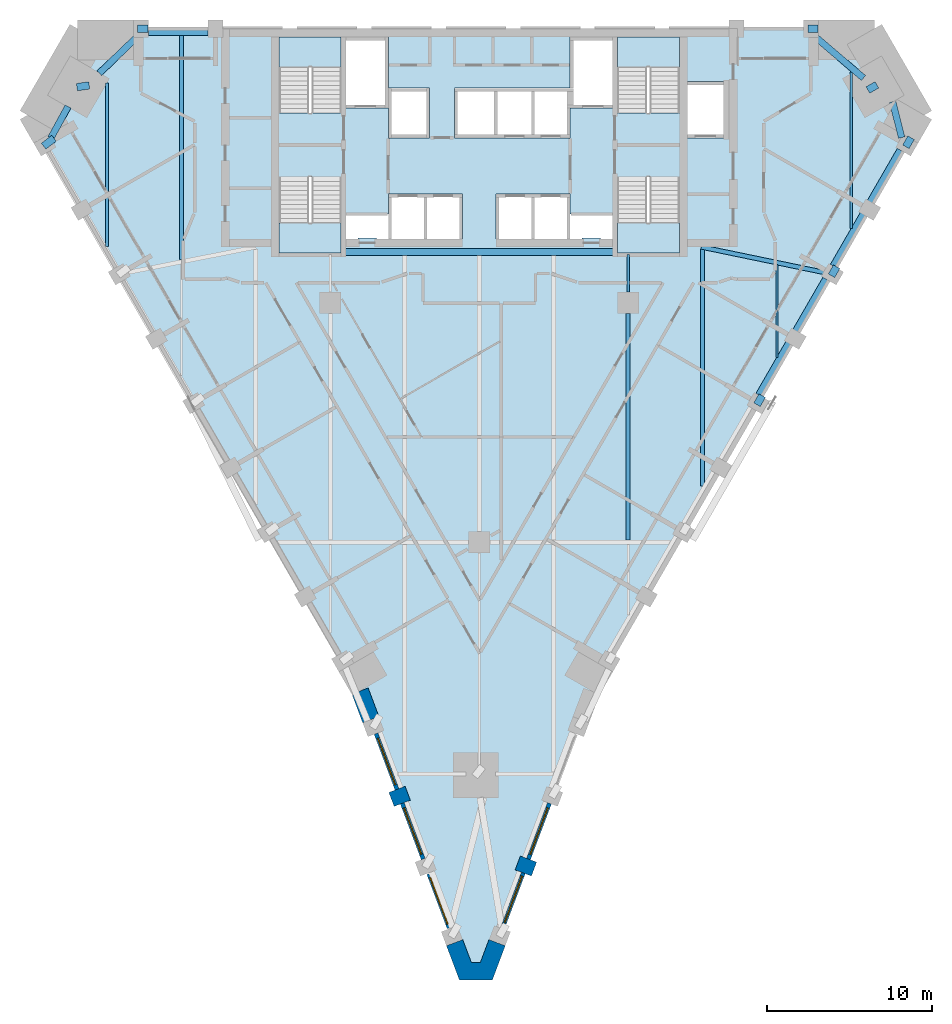
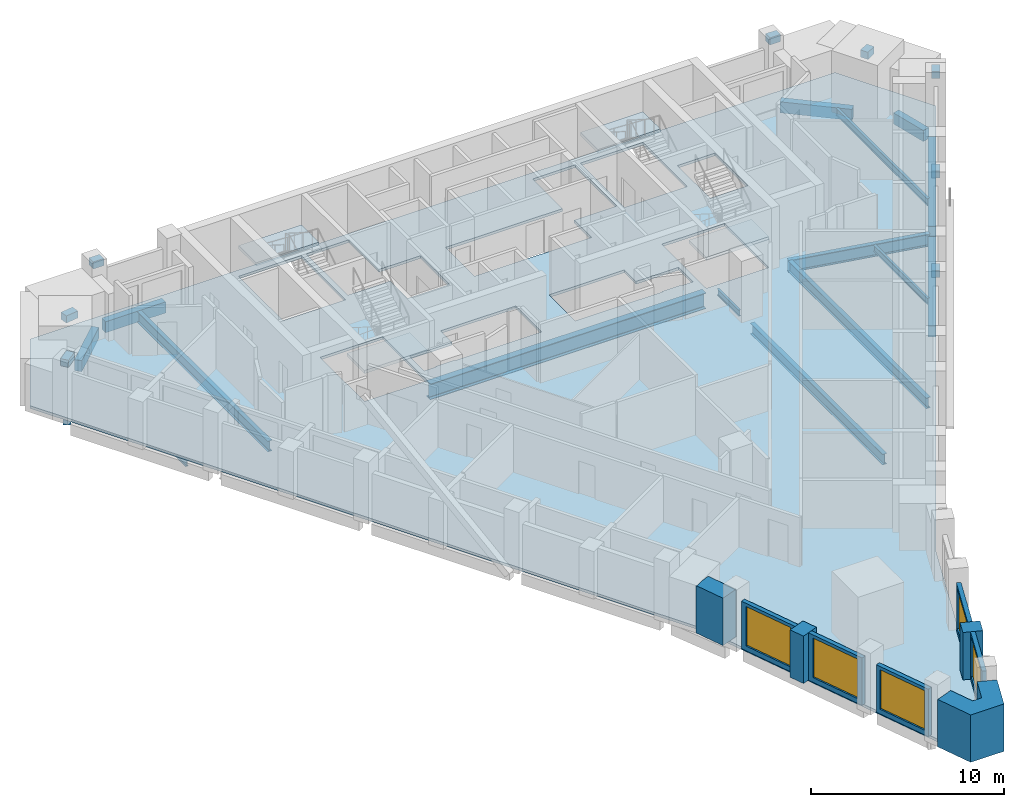
# One storey, part 2 of 10: 24 beams, 9 walls, 5 slabs, 5 windows, 5 openings, 4 elements without a shape of their own.
"""IFC4 building model written with IfcOpenShell, lengths in metres."""

from ifc_helpers import new_model, si_unit, direction, frame, frame_2d, origin, origin_2d, place, context, subcontext, project, spatial, polyline, rectangle, i_section, outline, extrude, material, layer, layer_set, material_profile, profile_set, type_object, element, fill, aggregate, save


model = new_model("IFC4")

# Units and contexts
model_context = context("Model", 3, precision=1e-05, world=origin(), true_north=direction((0.0, 1.0)))
body_context = subcontext(model_context, "Body", "Model", "MODEL_VIEW")
ifc_project = project(units=[si_unit("LENGTHUNIT", "METRE"), si_unit("AREAUNIT", "SQUARE_METRE"), si_unit("VOLUMEUNIT", "CUBIC_METRE"), si_unit("PLANEANGLEUNIT", "RADIAN"), si_unit("MASSUNIT", "GRAM", prefix="KILO")], contexts=[model_context])

# Site, building, storey
site_placement = place(None, origin())
site = spatial("IfcSite", under=ifc_project, at=site_placement, CompositionType="ELEMENT")
building_placement = place(site_placement, origin())
building = spatial("IfcBuilding", under=site, at=building_placement, Name="Calabash Gate Tower", CompositionType="ELEMENT")
storey_placement = place(building_placement, frame((0.0, 0.0, 152.39990234375)))
storey = spatial("IfcBuildingStorey", under=building, at=storey_placement, Name="L35", CompositionType="ELEMENT", Elevation=152.39990234375)

# Beams
ifc_material_1 = material(Name="Concrete C80/95", Category="concrete")
ifc_material_profile_1 = material_profile(ifc_material_1, rectangle(XDim=0.449951171875, YDim=0.449951171875, at=origin_2d()))
ifc_profile_set_1 = profile_set([ifc_material_profile_1], Name="Concrete C80/95")
beam_type_1 = type_object("IfcBeamType", Name="Column offset link RC 450x450 Concrete C80/95", PredefinedType="BEAM", material=ifc_profile_set_1)
beam_1_placement = place(storey_placement, frame((23.489990234375, 15.346923828125, 3.504150390625), z_axis=(0.86800468551, 0.49655600483, 0.0), x_axis=(-0.49655600483, 0.86800468551, 0.0)))
element("IfcBeam", 1, at=beam_1_placement, inside=storey, type_object=beam_type_1, Name="Column offset link L35 NE", PredefinedType="BEAM", context=body_context, shape_type="SweptSolid", body=[
    extrude(rectangle(XDim=0.449951171875, YDim=0.449951171875, at=origin_2d()), origin(), (0.0, 0.0, 1.0), 0.63037109375),
])
beam_2_placement = place(storey_placement, frame((-24.321044921875, 15.51708984375, 3.504150390625), z_axis=(0.989936566074, 0.141511819824, 0.0), x_axis=(-0.141511819824, 0.989936566074, 0.0)))
element("IfcBeam", 2, at=beam_2_placement, inside=storey, type_object=beam_type_1, Name="Column offset link L35 NW", PredefinedType="BEAM", context=body_context, shape_type="SweptSolid", body=[
    extrude(rectangle(XDim=0.449951171875, YDim=0.449951171875, at=origin_2d()), origin(), (0.0, 0.0, 1.0), 0.755615234375),
])
for number, where, z_axis, x_axis, name in (
    (3, (16.7890625, -3.676025390625, 3.504150390625), (0.499554821267, 0.866282275329, 0.0), (-0.866282275329, 0.499554821267, 0.0), "Column offset link L35 P11"),
    (4, (21.2890625, 4.117919921875, 3.504150390625), (0.499554821267, 0.866282275329, 0.0), (-0.866282275329, 0.499554821267, 0.0), "Column offset link L35 P12"),
):
    element("IfcBeam", number, at=place(storey_placement, frame(where, z_axis=z_axis, x_axis=x_axis)), inside=storey, type_object=beam_type_1, Name=name, PredefinedType="BEAM", context=body_context, shape_type="SweptSolid", body=[
        extrude(rectangle(XDim=0.449951171875, YDim=0.449951171875, at=origin_2d()), origin(), (0.0, 0.0, 1.0), 0.63037109375),
    ])
beam_3_placement = place(storey_placement, frame((25.7890625, 11.9130859375, 3.504150390625), z_axis=(0.500393920955, 0.865797853931, 0.0), x_axis=(-0.865797853931, 0.500393920955, 0.0)))
element("IfcBeam", 5, at=beam_3_placement, inside=storey, type_object=beam_type_1, Name="Column offset link L35 P13", PredefinedType="BEAM", context=body_context, shape_type="SweptSolid", body=[
    extrude(rectangle(XDim=0.449951171875, YDim=0.449951171875, at=origin_2d()), origin(), (0.0, 0.0, 1.0), 0.62939453125),
])
beam_4_placement = place(storey_placement, frame((-20.64306640625, 19.052978515625, 3.504150390625), z_axis=(1.0, 0.0, 0.0), x_axis=(0.0, 1.0, 0.0)))
element("IfcBeam", 6, at=beam_4_placement, inside=storey, type_object=beam_type_1, Name="Column offset link L35 P17", PredefinedType="BEAM", context=body_context, shape_type="SweptSolid", body=[
    extrude(rectangle(XDim=0.449951171875, YDim=0.449951171875, at=origin_2d()), origin(), (0.0, 0.0, 1.0), 0.630126953125),
])
beam_5_placement = place(storey_placement, frame((-26.3330078125, 11.949951171875, 3.504150390625), z_axis=(0.795671153346, 0.605728830198, 0.0), x_axis=(-0.605728830198, 0.795671153346, 0.0)))
element("IfcBeam", 7, at=beam_5_placement, inside=storey, type_object=beam_type_1, Name="Column offset link L35 P20", PredefinedType="BEAM", context=body_context, shape_type="SweptSolid", body=[
    extrude(rectangle(XDim=0.449951171875, YDim=0.449951171875, at=origin_2d()), origin(), (0.0, 0.0, 1.0), 0.795654296875),
])
beam_6_placement = place(storey_placement, frame((19.85693359375, 19.052978515625, 3.504150390625), z_axis=(1.0, 0.0, 0.0), x_axis=(0.0, 1.0, 0.0)))
element("IfcBeam", 8, at=beam_6_placement, inside=storey, type_object=beam_type_1, Name="Column offset link L35 P24", PredefinedType="BEAM", context=body_context, shape_type="SweptSolid", body=[
    extrude(rectangle(XDim=0.449951171875, YDim=0.449951171875, at=origin_2d()), origin(), (0.0, 0.0, 1.0), 0.630126953125),
])
ifc_material_2 = material(Name="Concrete C50/60", Category="concrete")
ifc_material_profile_2 = material_profile(ifc_material_2, rectangle(XDim=0.39990234375, YDim=0.699951171875, at=origin_2d()))
ifc_profile_set_2 = profile_set([ifc_material_profile_2], Name="Concrete C50/60")
beam_type_2 = type_object("IfcBeamType", Name="Edge beam RC 400x700 Concrete C50/60", PredefinedType="BEAM", material=ifc_profile_set_2)
beam_7_placement = place(storey_placement, frame((16.89697265625, -3.089111328125, -0.52001953125), z_axis=(0.499986829629, 0.866033007568, 0.0), x_axis=(-0.866033007568, 0.499986829629, 0.0)))
element("IfcBeam", 9, at=beam_7_placement, inside=storey, type_object=beam_type_2, Name="Edge beam L35 13", PredefinedType="BEAM", context=body_context, shape_type="SweptSolid", body=[
    extrude(rectangle(XDim=0.39990234375, YDim=0.699951171875, at=origin_2d()), origin(), (0.0, 0.0, 1.0), 8.100341796875),
])
beam_8_placement = place(storey_placement, frame((21.39697265625, 4.7060546875, -0.52001953125), z_axis=(0.50005208986, 0.865995327601, 0.0), x_axis=(-0.865995327601, 0.50005208986, 0.0)))
element("IfcBeam", 10, at=beam_8_placement, inside=storey, type_object=beam_type_2, Name="Edge beam L35 14", PredefinedType="BEAM", context=body_context, shape_type="SweptSolid", body=[
    extrude(rectangle(XDim=0.39990234375, YDim=0.699951171875, at=origin_2d()), origin(), (0.0, 0.0, 1.0), 8.099365234375),
])
beam_9_placement = place(storey_placement, frame((25.531005859375, 12.471923828125, -0.52001953125), z_axis=(-0.243049873382, 0.970013793226, 0.0), x_axis=(-0.970013793226, -0.243049873382, 0.0)))
element("IfcBeam", 11, at=beam_9_placement, inside=storey, type_object=beam_type_2, Name="Edge beam L35 15", PredefinedType="BEAM", context=body_context, shape_type="SweptSolid", body=[
    extrude(rectangle(XDim=0.39990234375, YDim=0.699951171875, at=origin_2d()), origin(), (0.0, 0.0, 1.0), 2.23388671875),
])
beam_10_placement = place(storey_placement, frame((23.22705078125, 16.070068359375, -0.52001953125), z_axis=(-0.760267652888, 0.649609956799, 0.0), x_axis=(-0.649609956799, -0.760267652888, 0.0)))
element("IfcBeam", 12, at=beam_10_placement, inside=storey, type_object=beam_type_2, Name="Edge beam L35 16", PredefinedType="BEAM", context=body_context, shape_type="SweptSolid", body=[
    extrude(rectangle(XDim=0.39990234375, YDim=0.699951171875, at=origin_2d()), origin(), (0.0, 0.0, 1.0), 3.814697265625),
])
beam_11_placement = place(storey_placement, frame((-16.403076171875, 18.85302734375, -0.52001953125), z_axis=(-1.0, 0.0, 0.0), x_axis=(0.0, -1.0, 0.0)))
element("IfcBeam", 13, at=beam_11_placement, inside=storey, type_object=beam_type_2, Name="Edge beam L35 17", PredefinedType="BEAM", context=body_context, shape_type="SweptSolid", body=[
    extrude(rectangle(XDim=0.39990234375, YDim=0.699951171875, at=origin_2d()), origin(), (0.0, 0.0, 1.0), 3.599853515625),
])
beam_12_placement = place(storey_placement, frame((-20.696044921875, 18.54296875, -0.52001953125), z_axis=(-0.720809229567, -0.693133504147, 0.0), x_axis=(0.693133504147, -0.720809229567, 0.0)))
element("IfcBeam", 14, at=beam_12_placement, inside=storey, type_object=beam_type_2, Name="Edge beam L35 18", PredefinedType="BEAM", context=body_context, shape_type="SweptSolid", body=[
    extrude(rectangle(XDim=0.39990234375, YDim=0.699951171875, at=origin_2d()), origin(), (0.0, 0.0, 1.0), 3.149169921875),
])
beam_13_placement = place(storey_placement, frame((-24.85400390625, 14.346923828125, -0.52001953125), z_axis=(-0.479500925929, -0.877541373402, 0.0), x_axis=(0.877541373402, -0.479500925929, 0.0)))
element("IfcBeam", 15, at=beam_13_placement, inside=storey, type_object=beam_type_2, Name="Edge beam L35 19", PredefinedType="BEAM", context=body_context, shape_type="SweptSolid", body=[
    extrude(rectangle(XDim=0.39990234375, YDim=0.699951171875, at=origin_2d()), origin(), (0.0, 0.0, 1.0), 2.187744140625),
])
ifc_material_3 = material(Name="Steel ASTM A992 Gr50", Category="steel")
ifc_material_profile_3 = material_profile(ifc_material_3, i_section(OverallWidth=0.1396484375, OverallDepth=0.398681640625, WebThickness=0.00634765625, FlangeThickness=0.0087890625, FilletRadius=0.01025390625, at=origin_2d()))
ifc_profile_set_3 = profile_set([ifc_material_profile_3], Name="Steel ASTM A992 Gr50")
beam_type_3 = type_object("IfcBeamType", Name="Floor beam W16x26 ASTM A992 Gr50", PredefinedType="BEAM", material=ifc_profile_set_3)
beam_14_placement = place(storey_placement, frame((9.0, 3.14990234375, -0.368896484375), z_axis=(0.0, 1.0, 0.0), x_axis=(-1.0, 0.0, 0.0)))
element("IfcBeam", 16, at=beam_14_placement, inside=storey, type_object=beam_type_3, Name="Floor beam L35 16", PredefinedType="BEAM", context=body_context, shape_type="SweptSolid", body=[
    extrude(i_section(OverallWidth=0.1396484375, OverallDepth=0.398681640625, WebThickness=0.00634765625, FlangeThickness=0.0087890625, FilletRadius=0.01025390625, at=origin_2d()), origin(), (0.0, 0.0, 1.0), 2.253173828125),
])
beam_15_placement = place(storey_placement, frame((18.0, -0.81103515625, -0.368896484375), z_axis=(0.0, 1.0, 0.0), x_axis=(-1.0, 0.0, 0.0)))
element("IfcBeam", 17, at=beam_15_placement, inside=storey, type_object=beam_type_3, Name="Floor beam L35 18", PredefinedType="BEAM", context=body_context, shape_type="SweptSolid", body=[
    extrude(i_section(OverallWidth=0.1396484375, OverallDepth=0.398681640625, WebThickness=0.00634765625, FlangeThickness=0.0087890625, FilletRadius=0.01025390625, at=origin_2d()), origin(), (0.0, 0.0, 1.0), 5.59814453125),
])
ifc_material_4 = material(Name="Steel ASTM A992 Gr50", Category="steel")
ifc_material_profile_4 = material_profile(ifc_material_4, i_section(OverallWidth=0.15234375, OverallDepth=0.44970703125, WebThickness=0.007568359375, FlangeThickness=0.0107421875, FilletRadius=0.01025390625, at=origin_2d()))
ifc_profile_set_4 = profile_set([ifc_material_profile_4], Name="Steel ASTM A992 Gr50")
beam_type_4 = type_object("IfcBeamType", Name="Floor beam W18x35 ASTM A992 Gr50", PredefinedType="BEAM", material=ifc_profile_set_4)
beam_16_placement = place(storey_placement, frame((22.5, 6.98291015625, -0.392822265625), z_axis=(0.0, 1.0, 0.0), x_axis=(-1.0, 0.0, 0.0)))
element("IfcBeam", 18, at=beam_16_placement, inside=storey, type_object=beam_type_4, Name="Floor beam L35 19", PredefinedType="BEAM", context=body_context, shape_type="SweptSolid", body=[
    extrude(i_section(OverallWidth=0.15234375, OverallDepth=0.44970703125, WebThickness=0.007568359375, FlangeThickness=0.0107421875, FilletRadius=0.01025390625, at=origin_2d()), origin(), (0.0, 0.0, 1.0), 9.463134765625),
])
ifc_material_5 = material(Name="Steel ASTM A992 Gr50", Category="steel")
ifc_material_profile_5 = material_profile(ifc_material_5, i_section(OverallWidth=0.166015625, OverallDepth=0.5283203125, WebThickness=0.009765625, FlangeThickness=0.013671875, FilletRadius=0.0126953125, at=origin_2d()))
ifc_profile_set_5 = profile_set([ifc_material_profile_5], Name="Steel ASTM A992 Gr50")
beam_type_5 = type_object("IfcBeamType", Name="Floor beam W21x50 ASTM A992 Gr50", PredefinedType="BEAM", material=ifc_profile_set_5)
beam_17_placement = place(storey_placement, frame((-22.5, 5.8740234375, -0.433837890625), z_axis=(0.0, 1.0, 0.0), x_axis=(-1.0, 0.0, 0.0)))
element("IfcBeam", 19, at=beam_17_placement, inside=storey, type_object=beam_type_5, Name="Floor beam L35 1", PredefinedType="BEAM", context=body_context, shape_type="SweptSolid", body=[
    extrude(i_section(OverallWidth=0.166015625, OverallDepth=0.5283203125, WebThickness=0.009765625, FlangeThickness=0.013671875, FilletRadius=0.0126953125, at=origin_2d()), origin(), (0.0, 0.0, 1.0), 9.903076171875),
])
ifc_material_6 = material(Name="Steel ASTM A992 Gr50", Category="steel")
ifc_material_profile_6 = material_profile(ifc_material_6, i_section(OverallWidth=0.25390625, OverallDepth=0.67822265625, WebThickness=0.01171875, FlangeThickness=0.016357421875, FilletRadius=0.01513671875, at=origin_2d()))
ifc_profile_set_6 = profile_set([ifc_material_profile_6], Name="Steel ASTM A992 Gr50")
beam_type_6 = type_object("IfcBeamType", Name="Floor beam W27x84 ASTM A992 Gr50", PredefinedType="BEAM", material=ifc_profile_set_6)
beam_18_placement = place(storey_placement, frame((-18.0, 5.0869140625, -0.5087890625), z_axis=(0.0, 1.0, 0.0), x_axis=(-1.0, 0.0, 0.0)))
element("IfcBeam", 20, at=beam_18_placement, inside=storey, type_object=beam_type_6, Name="Floor beam L35 3", PredefinedType="BEAM", context=body_context, shape_type="SweptSolid", body=[
    extrude(i_section(OverallWidth=0.25390625, OverallDepth=0.67822265625, WebThickness=0.01171875, FlangeThickness=0.016357421875, FilletRadius=0.01513671875, at=origin_2d()), origin(), (0.0, 0.0, 1.0), 13.566162109375),
])
beam_19_placement = place(storey_placement, frame((9.0, -11.866943359375, -0.5087890625), z_axis=(0.0, 1.0, 0.0), x_axis=(-1.0, 0.0, 0.0)))
element("IfcBeam", 21, at=beam_19_placement, inside=storey, type_object=beam_type_6, Name="Floor beam L35 15", PredefinedType="BEAM", context=body_context, shape_type="SweptSolid", body=[
    extrude(i_section(OverallWidth=0.25390625, OverallDepth=0.67822265625, WebThickness=0.01171875, FlangeThickness=0.016357421875, FilletRadius=0.01513671875, at=origin_2d()), origin(), (0.0, 0.0, 1.0), 13.717041015625),
])
beam_20_placement = place(storey_placement, frame((13.5, -8.60302734375, -0.5087890625), z_axis=(0.0, 1.0, 0.0), x_axis=(-1.0, 0.0, 0.0)))
element("IfcBeam", 22, at=beam_20_placement, inside=storey, type_object=beam_type_6, Name="Floor beam L35 17", PredefinedType="BEAM", context=body_context, shape_type="SweptSolid", body=[
    extrude(i_section(OverallWidth=0.25390625, OverallDepth=0.67822265625, WebThickness=0.01171875, FlangeThickness=0.016357421875, FilletRadius=0.01513671875, at=origin_2d()), origin(), (0.0, 0.0, 1.0), 14.341064453125),
])
ifc_material_7 = material(Name="Steel ASTM A992 Gr50", Category="steel")
ifc_material_profile_7 = material_profile(ifc_material_7, i_section(OverallWidth=0.2666015625, OverallDepth=0.77978515625, WebThickness=0.0166015625, FlangeThickness=0.030029296875, FilletRadius=0.0166015625, at=origin_2d()))
ifc_profile_set_7 = profile_set([ifc_material_profile_7], Name="Steel ASTM A992 Gr50")
beam_type_7 = type_object("IfcBeamType", Name="Girder W30x148 ASTM A992 Gr50", PredefinedType="BEAM", material=ifc_profile_set_7)
beam_21_placement = place(storey_placement, frame((21.001953125, 4.287109375, -0.559814453125), z_axis=(-0.979199062706, 0.202901935909, 0.0), x_axis=(-0.202901935909, -0.979199062706, 0.0)))
element("IfcBeam", 23, at=beam_21_placement, inside=storey, type_object=beam_type_7, Name="Girder L35 3", PredefinedType="BEAM", context=body_context, shape_type="SweptSolid", body=[
    extrude(i_section(OverallWidth=0.2666015625, OverallDepth=0.77978515625, WebThickness=0.0166015625, FlangeThickness=0.030029296875, FilletRadius=0.0166015625, at=origin_2d()), origin(), (0.0, 0.0, 1.0), 7.73681640625),
])
ifc_material_8 = material(Name="Steel ASTM A992 Gr50", Category="steel")
ifc_material_profile_8 = material_profile(ifc_material_8, i_section(OverallWidth=0.4013671875, OverallDepth=1.000732421875, WebThickness=0.01904296875, FlangeThickness=0.0361328125, FilletRadius=0.030029296875, at=origin_2d()))
ifc_profile_set_8 = profile_set([ifc_material_profile_8], Name="Steel ASTM A992 Gr50")
beam_type_8 = type_object("IfcBeamType", Name="Girder W40x249 ASTM A992 Gr50", PredefinedType="BEAM", material=ifc_profile_set_8)
beam_22_placement = place(storey_placement, frame((-8.25, 5.552978515625, -0.669921875), z_axis=(1.0, 0.0, 0.0), x_axis=(0.0, 1.0, 0.0)))
element("IfcBeam", 24, at=beam_22_placement, inside=storey, type_object=beam_type_8, Name="Girder L35 1", PredefinedType="BEAM", context=body_context, shape_type="SweptSolid", body=[
    extrude(i_section(OverallWidth=0.4013671875, OverallDepth=1.000732421875, WebThickness=0.01904296875, FlangeThickness=0.0361328125, FilletRadius=0.030029296875, at=origin_2d()), origin(), (0.0, 0.0, 1.0), 16.5),
])

# Slab
ifc_material_9 = material(Name="Concrete C40/50", Category="concrete")
ifc_layer_1 = layer(ifc_material_9, 0.169921875)
ifc_layer_set_1 = layer_set([ifc_layer_1], Name="Composite floor slab 170 Concrete C40/50")
slab_type_1 = type_object("IfcSlabType", Name="Composite floor slab 170 Concrete C40/50", PredefinedType="FLOOR", material=ifc_layer_set_1)
slab_1_placement = place(storey_placement, frame((0.0, 0.0, -0.169921875)))
element("IfcSlab", 25, at=slab_1_placement, inside=storey, type_object=slab_type_1, Name="Floor slab L35", PredefinedType="FLOOR", context=body_context, shape_type="SweptSolid", body=[
    extrude(outline(polyline([(-24.28955078125, 19.052490234375), (23.880126953125, 19.052490234375), (26.895751953125, 13.8291015625), (6.795166015625, -20.98583984375), (0.428466796875, -37.92529296875), (-0.837890625, -37.92529296875), (-7.204833984375, -20.98583984375), (-27.30517578125, 13.8291015625), (-24.28955078125, 19.052490234375)]), holes=[polyline([(-3.25, 9.052490234375), (-5.5, 9.052490234375), (-5.5, 7.8525390625), (-8.050048828125, 7.8525390625), (-8.050048828125, 6.3525390625), (-7.324951171875, 6.3525390625), (-7.324951171875, 6.402587890625), (-6.22509765625, 6.402587890625), (-6.22509765625, 6.3525390625), (-5.5, 6.3525390625), (-3.25, 6.3525390625), (-1.0, 6.3525390625), (-1.0, 9.052490234375), (-3.25, 9.052490234375)]), polyline([(5.5, 6.3525390625), (6.22509765625, 6.3525390625), (6.22509765625, 6.402587890625), (7.324951171875, 6.402587890625), (7.324951171875, 6.3525390625), (8.050048828125, 6.3525390625), (8.050048828125, 7.8525390625), (5.5, 7.8525390625), (5.5, 9.052490234375), (3.25, 9.052490234375), (1.0, 9.052490234375), (1.0, 6.3525390625), (3.25, 6.3525390625), (5.5, 6.3525390625)]), polyline([(-5.5, 12.45263671875), (-3.0, 12.45263671875), (-3.0, 15.45263671875), (-5.5, 15.45263671875), (-5.5, 18.552490234375), (-8.050048828125, 18.552490234375), (-8.050048828125, 14.252685546875), (-5.5, 14.252685546875), (-5.5, 12.45263671875)]), polyline([(-1.5, 15.45263671875), (-1.5, 12.45263671875), (1.0, 12.45263671875), (3.25, 12.45263671875), (5.5, 12.45263671875), (5.5, 14.252685546875), (8.050048828125, 14.252685546875), (8.050048828125, 18.552490234375), (5.5, 18.552490234375), (5.5, 15.45263671875), (3.25, 15.45263671875), (1.0, 15.45263671875), (-1.5, 15.45263671875)]), polyline([(14.85009765625, 15.8525390625), (12.60009765625, 15.8525390625), (12.60009765625, 12.45263671875), (14.85009765625, 12.45263671875), (14.85009765625, 15.8525390625)]), polyline([(-8.35009765625, 18.552490234375), (-12.10009765625, 18.552490234375), (-12.10009765625, 13.95263671875), (-8.35009765625, 13.95263671875), (-8.35009765625, 18.552490234375)]), polyline([(-12.10009765625, 10.1025390625), (-12.10009765625, 5.502685546875), (-8.35009765625, 5.502685546875), (-8.35009765625, 10.1025390625), (-12.10009765625, 10.1025390625)]), polyline([(8.35009765625, 13.95263671875), (12.10009765625, 13.95263671875), (12.10009765625, 18.552490234375), (8.35009765625, 18.552490234375), (8.35009765625, 13.95263671875)]), polyline([(12.10009765625, 5.502685546875), (12.10009765625, 10.1025390625), (8.35009765625, 10.1025390625), (8.35009765625, 5.502685546875), (12.10009765625, 5.502685546875)])]), origin(), (0.0, 0.0, 1.0), 0.169921875),
])

# Stair, slab
ifc_material_10 = material(Name="Concrete C40/50", Category="concrete")
stair_type = type_object("IfcStairType", Name="Exit stair 22 risers of 177.3 mm", PredefinedType="HALF_TURN_STAIR", material=ifc_material_10)
stair_1_placement = place(storey_placement, origin())
stair_1 = element("IfcStair", 26, at=stair_1_placement, inside=storey, type_object=stair_type, Name="L35 Exit stair ST1", PredefinedType="HALF_TURN_STAIR")
ifc_material_11 = material(Name="Concrete C40/50", Category="concrete")
ifc_layer_2 = layer(ifc_material_11, 0.199951171875)
ifc_layer_set_2 = layer_set([ifc_layer_2], Name="Stair landing SL200")
slab_type_2 = type_object("IfcSlabType", Name="Stair landing SL200", PredefinedType="LANDING", material=ifc_layer_set_2)
slab_2_placement = place(storey_placement, frame((0.0, 0.0, 1.75)))
slab_2 = element("IfcSlab", 27, at=slab_2_placement, type_object=slab_type_2, Name="ST1 landing 1", PredefinedType="LANDING", context=body_context, shape_type="SweptSolid", body=[
    extrude(outline(polyline([(-8.35009765625, 16.74267578125), (-8.35009765625, 18.552490234375), (-12.10009765625, 18.552490234375), (-12.10009765625, 16.74267578125), (-8.35009765625, 16.74267578125)])), origin(), (0.0, 0.0, 1.0), 0.2001953125),
])
aggregate(stair_1, [slab_2])

stair_2_placement = place(storey_placement, origin())
stair_2 = element("IfcStair", 28, at=stair_2_placement, inside=storey, type_object=stair_type, Name="L35 Exit stair ST2", PredefinedType="HALF_TURN_STAIR")
slab_3_placement = place(storey_placement, frame((0.0, 0.0, 1.75)))
slab_3 = element("IfcSlab", 29, at=slab_3_placement, type_object=slab_type_2, Name="ST2 landing 1", PredefinedType="LANDING", context=body_context, shape_type="SweptSolid", body=[
    extrude(outline(polyline([(-12.10009765625, 7.3125), (-12.10009765625, 5.502685546875), (-8.35009765625, 5.502685546875), (-8.35009765625, 7.3125), (-12.10009765625, 7.3125)])), origin(), (0.0, 0.0, 1.0), 0.2001953125),
])
aggregate(stair_2, [slab_3])

stair_3_placement = place(storey_placement, origin())
stair_3 = element("IfcStair", 30, at=stair_3_placement, inside=storey, type_object=stair_type, Name="L35 Exit stair ST3", PredefinedType="HALF_TURN_STAIR")
slab_4_placement = place(storey_placement, frame((0.0, 0.0, 1.75)))
slab_4 = element("IfcSlab", 31, at=slab_4_placement, type_object=slab_type_2, Name="ST3 landing 1", PredefinedType="LANDING", context=body_context, shape_type="SweptSolid", body=[
    extrude(outline(polyline([(12.10009765625, 16.74267578125), (12.10009765625, 18.552490234375), (8.35009765625, 18.552490234375), (8.35009765625, 16.74267578125), (12.10009765625, 16.74267578125)])), origin(), (0.0, 0.0, 1.0), 0.2001953125),
])
aggregate(stair_3, [slab_4])

stair_4_placement = place(storey_placement, origin())
stair_4 = element("IfcStair", 32, at=stair_4_placement, inside=storey, type_object=stair_type, Name="L35 Exit stair ST4", PredefinedType="HALF_TURN_STAIR")
slab_5_placement = place(storey_placement, frame((0.0, 0.0, 1.75)))
slab_5 = element("IfcSlab", 33, at=slab_5_placement, type_object=slab_type_2, Name="ST4 landing 1", PredefinedType="LANDING", context=body_context, shape_type="SweptSolid", body=[
    extrude(outline(polyline([(8.35009765625, 7.3125), (8.35009765625, 5.502685546875), (12.10009765625, 5.502685546875), (12.10009765625, 7.3125), (8.35009765625, 7.3125)])), origin(), (0.0, 0.0, 1.0), 0.2001953125),
])
aggregate(stair_4, [slab_5])

# Walls
ifc_material_12 = material(Name="Terracotta brick masonry, exposed face", Category="masonry")
ifc_layer_3 = layer(ifc_material_12, 1.050048828125)
ifc_layer_set_3 = layer_set([ifc_layer_3], Name="Brick end wall 1050")
wall_type_1 = type_object("IfcWallType", Name="Brick end wall 1050", PredefinedType="SOLIDWALL", material=ifc_layer_set_3)
for number, where, z_axis, x_axis, name in (
    (34, (-4.321533203125, -27.164794921875, 0.0), (0.0, 0.0, 1.0), (-0.936080509118, -0.351785844584, 0.0), "Brick pier S09 wedge1.1"),
    (35, (3.311767578125, -31.74658203125, 0.0), (0.0, 0.0, 1.0), (-0.936003928089, 0.351989554676, 0.0), "Brick pier S09 wedge3.1"),
):
    element("IfcWall", number, at=place(storey_placement, frame(where, z_axis=z_axis, x_axis=x_axis)), inside=storey, type_object=wall_type_1, Name=name, PredefinedType="SOLIDWALL", context=body_context, shape_type="SweptSolid", body=[
        extrude(rectangle(XDim=1.050048828125, YDim=0.89990234375, at=frame_2d((0.52490234375, 0.0))), origin(), (0.0, 0.0, 1.0), 3.0),
    ])
wall_1_placement = place(storey_placement, origin())
element("IfcWall", 36, at=wall_1_placement, inside=storey, type_object=wall_type_1, Name="Brick end wall S09 1", PredefinedType="SOLIDWALL", context=body_context, shape_type="SweptSolid", body=[
    extrude(outline(polyline([(-6.06298828125, -22.53125), (-6.71337890625, -20.80126953125), (-7.204833984375, -20.98583984375), (-7.659423828125, -21.248291015625), (-7.680908203125, -21.2109375), (-7.0458984375, -22.900634765625), (-7.045654296875, -22.900634765625), (-7.045654296875, -22.900390625), (-6.06298828125, -22.53125)])), origin(), (0.0, 0.0, 1.0), 3.0),
])
wall_2_placement = place(storey_placement, origin())
element("IfcWall", 37, at=wall_2_placement, inside=storey, type_object=wall_type_1, Name="Brick end wall S09 2", PredefinedType="SOLIDWALL", context=body_context, shape_type="SweptSolid", body=[
    extrude(outline(polyline([(-0.474365234375, -37.400390625), (-0.996826171875, -36.010498046875), (-1.979736328125, -36.380126953125), (-1.20166015625, -38.450439453125), (0.7919921875, -38.450439453125), (1.5703125, -36.380126953125), (0.58740234375, -36.010498046875), (0.06494140625, -37.400390625), (-0.474365234375, -37.400390625)])), origin(), (0.0, 0.0, 1.0), 3.0),
])

# Wall, opening, window
ifc_material_13 = material(Name="Aluminium framed window wall with insulated spandrel", Category="aluminium")
ifc_layer_4 = layer(ifc_material_13, 0.25)
ifc_layer_set_4 = layer_set([ifc_layer_4], Name="Prow window wall 250")
wall_type_2 = type_object("IfcWallType", Name="Prow window wall 250", PredefinedType="ELEMENTEDWALL", material=ifc_layer_set_4)
wall_3_placement = place(storey_placement, frame((-6.23779296875, -23.558349609375, 0.0), z_axis=(0.0, 0.0, 1.0), x_axis=(0.351829371284, -0.936064150314, 0.0)))
wall_3 = element("IfcWall", 38, at=wall_3_placement, inside=storey, type_object=wall_type_2, Name="Prow window wall S09 wedge1.1", PredefinedType="ELEMENTEDWALL", context=body_context, shape_type="SweptSolid", body=[
    extrude(rectangle(XDim=3.60009765625, YDim=0.25, at=frame_2d((1.800048828125, 0.0))), origin(), (0.0, 0.0, 1.0), 3.0),
])
opening_1_placement = place(wall_3_placement, frame((0.300048828125, 0.0, 0.300048828125)))
opening_1 = element("IfcOpeningElement", 39, at=opening_1_placement, cuts=wall_3, Name="Opening WP2", PredefinedType="OPENING", context=body_context, shape_type="SweptSolid", body=[
    extrude(rectangle(XDim=3.0, YDim=2.5, at=frame_2d((1.5, 1.25))), frame((0.0, 0.135009765625, 0.0), z_axis=(0.0, -1.0, 0.0), x_axis=(1.0, 0.0, 0.0)), (0.0, 0.0, 1.0), 0.27001953125),
])
ifc_material_14 = material(Name="Anodised aluminium frame, bronze finish, impact-rated laminated clear glazing", Category="aluminium")
window_type = type_object("IfcWindowType", Name="Window WP2 3000x2500", PartitioningType="DOUBLE_PANEL_VERTICAL", PredefinedType="WINDOW", material=ifc_material_14)
window_1_placement = place(opening_1_placement, origin())
window_1 = element("IfcWindow", 40, at=window_1_placement, inside=storey, type_object=window_type, Name="Prow window WP2 S09 wedge1.1", OverallHeight=2.5, OverallWidth=3.0, PartitioningType="SINGLE_PANEL", PredefinedType="WINDOW", context=body_context, shape_type="SweptSolid", body=[
    extrude(rectangle(XDim=3.0, YDim=2.5, at=frame_2d((1.5, 1.25))), frame((0.0, 0.030029296875, 0.0), z_axis=(0.0, -1.0, 0.0), x_axis=(1.0, 0.0, 0.0)), (0.0, 0.0, 1.0), 0.06005859375),
])
fill(opening_1, window_1)

wall_4_placement = place(storey_placement, frame((-4.654541015625, -27.770751953125, 0.0), z_axis=(0.0, 0.0, 1.0), x_axis=(0.351769947693, -0.936086483131, 0.0)))
wall_4 = element("IfcWall", 41, at=wall_4_placement, inside=storey, type_object=wall_type_2, Name="Prow window wall S09 wedge1.2", PredefinedType="ELEMENTEDWALL", context=body_context, shape_type="SweptSolid", body=[
    extrude(rectangle(XDim=3.599853515625, YDim=0.25, at=frame_2d((1.7998046875, 0.0))), origin(), (0.0, 0.0, 1.0), 3.0),
])
opening_2_placement = place(wall_4_placement, frame((0.300048828125, 0.0, 0.300048828125)))
opening_2 = element("IfcOpeningElement", 42, at=opening_2_placement, cuts=wall_4, Name="Opening WP2", PredefinedType="OPENING", context=body_context, shape_type="SweptSolid", body=[
    extrude(rectangle(XDim=3.0, YDim=2.5, at=frame_2d((1.5, 1.25))), frame((0.0, 0.135009765625, 0.0), z_axis=(0.0, -1.0, 0.0), x_axis=(1.0, 0.0, 0.0)), (0.0, 0.0, 1.0), 0.27001953125),
])
window_2_placement = place(opening_2_placement, origin())
window_2 = element("IfcWindow", 43, at=window_2_placement, inside=storey, type_object=window_type, Name="Prow window WP2 S09 wedge1.2", OverallHeight=2.5, OverallWidth=3.0, PartitioningType="SINGLE_PANEL", PredefinedType="WINDOW", context=body_context, shape_type="SweptSolid", body=[
    extrude(rectangle(XDim=3.0, YDim=2.5, at=frame_2d((1.5, 1.25))), frame((0.0, 0.030029296875, 0.0), z_axis=(0.0, -1.0, 0.0), x_axis=(1.0, 0.0, 0.0)), (0.0, 0.0, 1.0), 0.06005859375),
])
fill(opening_2, window_2)

wall_5_placement = place(storey_placement, frame((-3.053955078125, -32.02978515625, 0.0), z_axis=(0.0, 0.0, 1.0), x_axis=(0.351826590602, -0.936065195457, 0.0)))
wall_5 = element("IfcWall", 44, at=wall_5_placement, inside=storey, type_object=wall_type_2, Name="Prow window wall S09 wedge1.3", PredefinedType="ELEMENTEDWALL", context=body_context, shape_type="SweptSolid", body=[
    extrude(rectangle(XDim=3.500244140625, YDim=0.25, at=frame_2d((1.75, 0.0))), origin(), (0.0, 0.0, 1.0), 3.0),
])
opening_3_placement = place(wall_5_placement, frame((0.25, 0.0, 0.300048828125)))
opening_3 = element("IfcOpeningElement", 45, at=opening_3_placement, cuts=wall_5, Name="Opening WP2", PredefinedType="OPENING", context=body_context, shape_type="SweptSolid", body=[
    extrude(rectangle(XDim=3.0, YDim=2.5, at=frame_2d((1.5, 1.25))), frame((0.0, 0.135009765625, 0.0), z_axis=(0.0, -1.0, 0.0), x_axis=(1.0, 0.0, 0.0)), (0.0, 0.0, 1.0), 0.27001953125),
])
window_3_placement = place(opening_3_placement, origin())
window_3 = element("IfcWindow", 46, at=window_3_placement, inside=storey, type_object=window_type, Name="Prow window WP2 S09 wedge1.3", OverallHeight=2.5, OverallWidth=3.0, PartitioningType="SINGLE_PANEL", PredefinedType="WINDOW", context=body_context, shape_type="SweptSolid", body=[
    extrude(rectangle(XDim=3.0, YDim=2.5, at=frame_2d((1.5, 1.25))), frame((0.0, 0.030029296875, 0.0), z_axis=(0.0, -1.0, 0.0), x_axis=(1.0, 0.0, 0.0)), (0.0, 0.0, 1.0), 0.06005859375),
])
fill(opening_3, window_3)

wall_6_placement = place(storey_placement, frame((1.3955078125, -35.352783203125, 0.0), z_axis=(0.0, 0.0, 1.0), x_axis=(0.351829371284, 0.936064150314, 0.0)))
wall_6 = element("IfcWall", 47, at=wall_6_placement, inside=storey, type_object=wall_type_2, Name="Prow window wall S09 wedge3.1", PredefinedType="ELEMENTEDWALL", context=body_context, shape_type="SweptSolid", body=[
    extrude(rectangle(XDim=3.60009765625, YDim=0.25, at=frame_2d((1.800048828125, 0.0))), origin(), (0.0, 0.0, 1.0), 3.0),
])
opening_4_placement = place(wall_6_placement, frame((0.39990234375, 0.0, 0.300048828125)))
opening_4 = element("IfcOpeningElement", 48, at=opening_4_placement, cuts=wall_6, Name="Opening WP2", PredefinedType="OPENING", context=body_context, shape_type="SweptSolid", body=[
    extrude(rectangle(XDim=3.0, YDim=2.5, at=frame_2d((1.5, 1.25))), frame((0.0, 0.135009765625, 0.0), z_axis=(0.0, -1.0, 0.0), x_axis=(1.0, 0.0, 0.0)), (0.0, 0.0, 1.0), 0.27001953125),
])
window_4_placement = place(opening_4_placement, origin())
window_4 = element("IfcWindow", 49, at=window_4_placement, inside=storey, type_object=window_type, Name="Prow window WP2 S09 wedge3.1", OverallHeight=2.5, OverallWidth=3.0, PartitioningType="SINGLE_PANEL", PredefinedType="WINDOW", context=body_context, shape_type="SweptSolid", body=[
    extrude(rectangle(XDim=3.0, YDim=2.5, at=frame_2d((1.5, 1.25))), frame((0.0, 0.030029296875, 0.0), z_axis=(0.0, -1.0, 0.0), x_axis=(1.0, 0.0, 0.0)), (0.0, 0.0, 1.0), 0.06005859375),
])
fill(opening_4, window_4)

wall_7_placement = place(storey_placement, frame((2.978515625, -31.140625, 0.0), z_axis=(0.0, 0.0, 1.0), x_axis=(0.351829371284, 0.936064150314, 0.0)))
wall_7 = element("IfcWall", 50, at=wall_7_placement, inside=storey, type_object=wall_type_2, Name="Prow window wall S09 wedge3.2", PredefinedType="ELEMENTEDWALL", context=body_context, shape_type="SweptSolid", body=[
    extrude(rectangle(XDim=3.60009765625, YDim=0.25, at=frame_2d((1.800048828125, 0.0))), origin(), (0.0, 0.0, 1.0), 3.0),
])
opening_5_placement = place(wall_7_placement, frame((0.300048828125, 0.0, 0.300048828125)))
opening_5 = element("IfcOpeningElement", 51, at=opening_5_placement, cuts=wall_7, Name="Opening WP2", PredefinedType="OPENING", context=body_context, shape_type="SweptSolid", body=[
    extrude(rectangle(XDim=3.0, YDim=2.5, at=frame_2d((1.5, 1.25))), frame((0.0, 0.135009765625, 0.0), z_axis=(0.0, -1.0, 0.0), x_axis=(1.0, 0.0, 0.0)), (0.0, 0.0, 1.0), 0.27001953125),
])
window_5_placement = place(opening_5_placement, origin())
window_5 = element("IfcWindow", 52, at=window_5_placement, inside=storey, type_object=window_type, Name="Prow window WP2 S09 wedge3.2", OverallHeight=2.5, OverallWidth=3.0, PartitioningType="SINGLE_PANEL", PredefinedType="WINDOW", context=body_context, shape_type="SweptSolid", body=[
    extrude(rectangle(XDim=3.0, YDim=2.5, at=frame_2d((1.5, 1.25))), frame((0.0, 0.030029296875, 0.0), z_axis=(0.0, -1.0, 0.0), x_axis=(1.0, 0.0, 0.0)), (0.0, 0.0, 1.0), 0.06005859375),
])
fill(opening_5, window_5)

save(model, "model.ifc")
